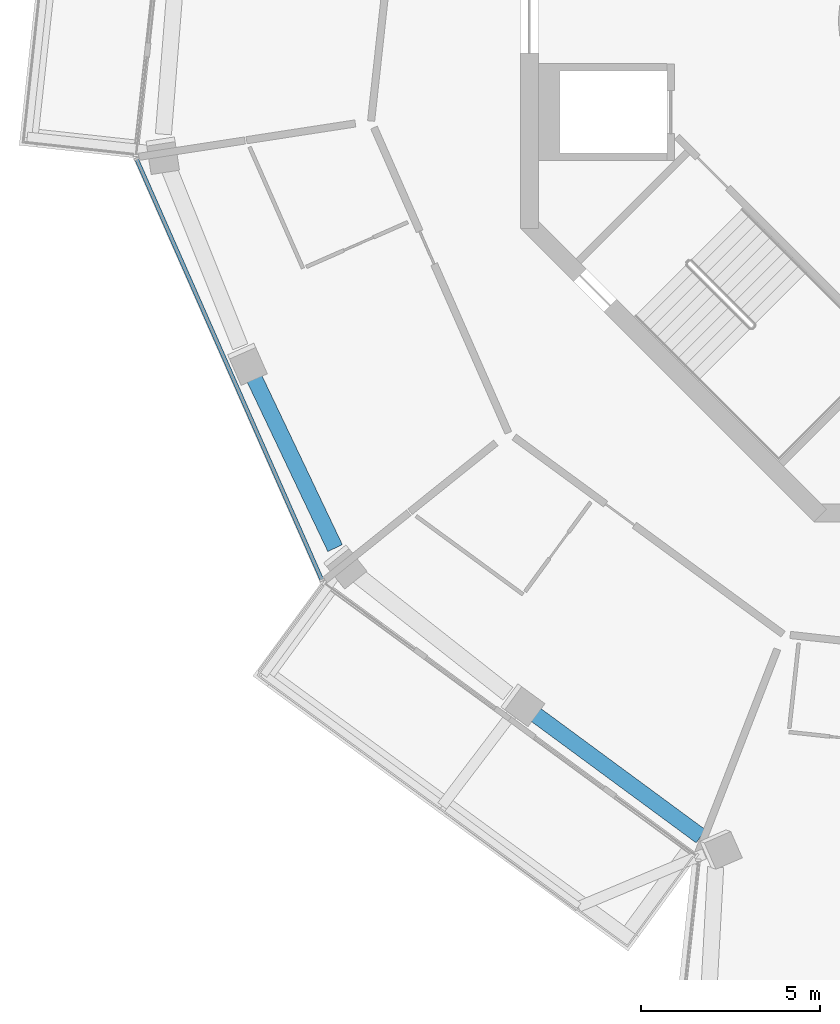
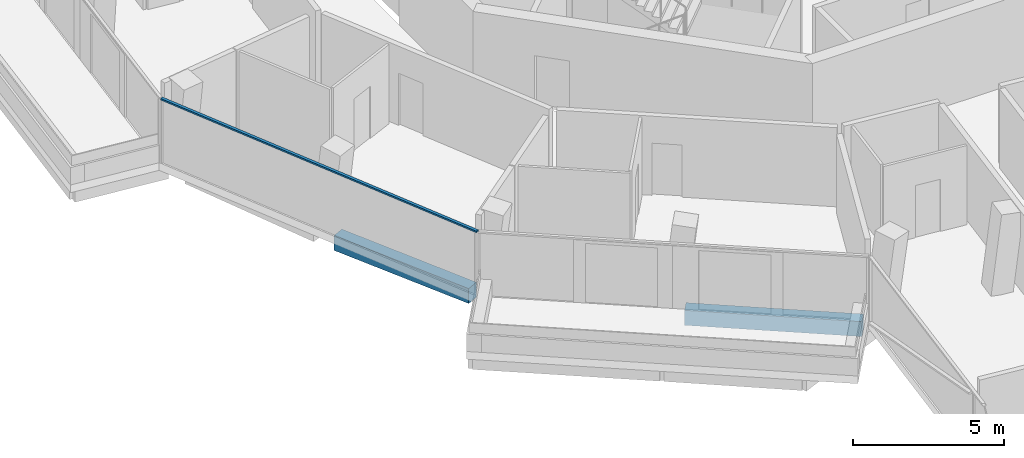
# One storey, part 3 of 22: 2 beams, 1 member, 1 element without a shape of its own.
"""IFC4 building model written with IfcOpenShell, lengths in metres."""

from ifc_helpers import new_model, si_unit, direction, frame, origin, origin_2d, place, context, subcontext, project, spatial, rectangle, extrude, material, layer, layer_set, material_profile, profile_set, type_object, element, aggregate, save


model = new_model("IFC4")

# Units and contexts
model_context = context("Model", 3, precision=1e-05, world=origin(), true_north=direction((0.0, 1.0)))
body_context = subcontext(model_context, "Body", "Model", "MODEL_VIEW")
ifc_project = project(units=[si_unit("LENGTHUNIT", "METRE"), si_unit("AREAUNIT", "SQUARE_METRE"), si_unit("VOLUMEUNIT", "CUBIC_METRE"), si_unit("PLANEANGLEUNIT", "RADIAN"), si_unit("MASSUNIT", "GRAM", prefix="KILO")], contexts=[model_context])

# Site, building, storey
site_placement = place(None, origin())
site = spatial("IfcSite", under=ifc_project, at=site_placement, CompositionType="ELEMENT")
building_placement = place(site_placement, origin())
building = spatial("IfcBuilding", under=site, at=building_placement, Name="Verdalira Terraces Hotel", CompositionType="ELEMENT")
storey_placement = place(building_placement, frame((0.0, 0.0, 252.5)))
storey = spatial("IfcBuildingStorey", under=building, at=storey_placement, Name="L62", CompositionType="ELEMENT", Elevation=252.5)

# Curtain wall, member
ifc_material_1 = material(Name="Clear glass", Category="glass")
ifc_layer = layer(ifc_material_1, 0.14990234375)
ifc_layer_set = layer_set([ifc_layer], Name="CW1 curtain wall")
curtain_wall_type = type_object("IfcCurtainWallType", Name="CW1 curtain wall", PredefinedType="NOTDEFINED", material=ifc_layer_set)
curtain_wall_placement = place(storey_placement, origin())
curtain_wall = element("IfcCurtainWall", 1, at=curtain_wall_placement, inside=storey, type_object=curtain_wall_type, Name="CW1 curtain wall L62 edge 12", PredefinedType="NOTDEFINED")
ifc_material_2 = material(Name="Terracotta frame", Category="masonry")
ifc_material_profile_1 = material_profile(ifc_material_2, rectangle(XDim=0.110107, YDim=0.064941, at=origin_2d()), Name="TR 65x110")
ifc_profile_set_1 = profile_set([ifc_material_profile_1], Name="Terracotta frame")
member_type = type_object("IfcMemberType", Name="CW1 transom 65x110", PredefinedType="USERDEFINED", material=ifc_profile_set_1)
member_placement = place(storey_placement, frame((-24.736328, -3.831299, 2.557617), z_axis=(0.402913388, -0.915238112, 0.0), x_axis=(0.915238112, 0.402913388, 0.0)))
member = element("IfcMember", 2, at=member_placement, type_object=member_type, Name="CW1 transom", ObjectType="TRANSOM", PredefinedType="USERDEFINED", context=body_context, shape_type="SweptSolid", body=[
    extrude(rectangle(XDim=0.110107, YDim=0.064941, at=origin_2d()), origin(), (0.0, 0.0, 1.0), 12.919922),
])
aggregate(curtain_wall, [member])

# Beams
ifc_material_3 = material(Name="Concrete C40", Category="concrete")
ifc_material_profile_2 = material_profile(ifc_material_3, rectangle(XDim=0.449951, YDim=0.600098, at=origin_2d()), Name="RC 450X600")
ifc_profile_set_2 = profile_set([ifc_material_profile_2], Name="Concrete C40")
beam_type = type_object("IfcBeamType", Name="Spandrel beam RC 450X600 C40", PredefinedType="SPANDREL", material=ifc_profile_set_2)
beam_1_placement = place(storey_placement, frame((-21.494629, -9.860107, -0.610107), z_axis=(0.429731537, -0.902956702, 0.0), x_axis=(0.902956702, 0.429731537, 0.0)))
element("IfcBeam", 3, at=beam_1_placement, inside=storey, type_object=beam_type, Name="Spandrel beam B05", PredefinedType="SPANDREL", context=body_context, shape_type="SweptSolid", body=[
    extrude(rectangle(XDim=0.449951, YDim=0.600098, at=origin_2d()), origin(), (0.0, 0.0, 1.0), 5.394287),
])
beam_2_placement = place(storey_placement, frame((-13.702393, -19.290039, -0.610107), z_axis=(0.805195368, -0.593009628, 0.0), x_axis=(0.593009628, 0.805195368, 0.0)))
element("IfcBeam", 4, at=beam_2_placement, inside=storey, type_object=beam_type, Name="Spandrel beam B07", PredefinedType="SPANDREL", context=body_context, shape_type="SweptSolid", body=[
    extrude(rectangle(XDim=0.449951, YDim=0.600098, at=origin_2d()), origin(), (0.0, 0.0, 1.0), 5.892334),
])

save(model, "model.ifc")
